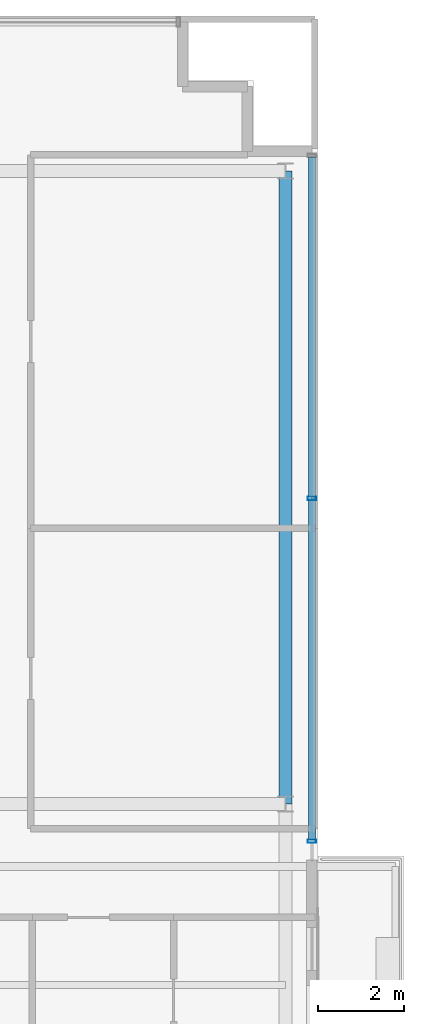
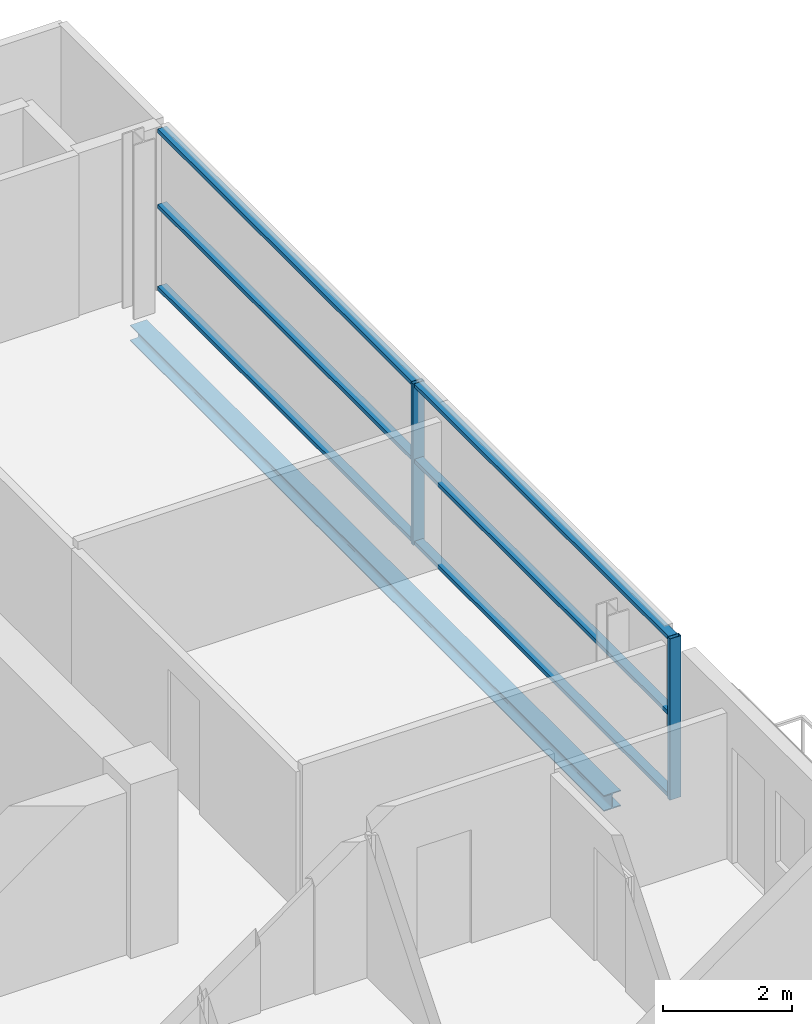
# One storey, part 9 of 22: 8 members, 1 beam, 1 element without a shape of its own.
"""IFC4 building model written with IfcOpenShell, lengths in metres."""

from ifc_helpers import new_model, si_unit, direction, frame, origin, origin_2d, place, context, subcontext, project, spatial, hollow_rectangle, i_section, extrude, source, transform, mapped, material, layer, layer_set, material_profile, profile_set, type_object, element, aggregate, save


model = new_model("IFC4")

# Units and contexts
model_context = context("Model", 3, precision=1e-05, world=origin(), true_north=direction((0.0, 1.0)))
body_context = subcontext(model_context, "Body", "Model", "MODEL_VIEW")
ifc_project = project(units=[si_unit("LENGTHUNIT", "METRE"), si_unit("AREAUNIT", "SQUARE_METRE"), si_unit("VOLUMEUNIT", "CUBIC_METRE"), si_unit("PLANEANGLEUNIT", "RADIAN"), si_unit("MASSUNIT", "GRAM", prefix="KILO")], contexts=[model_context])

# Site, building, storey
site_placement = place(None, origin())
site = spatial("IfcSite", under=ifc_project, at=site_placement, CompositionType="ELEMENT")
building_placement = place(site_placement, origin())
building = spatial("IfcBuilding", under=site, at=building_placement, Name="Zarnakvel Exchange Tower", CompositionType="ELEMENT")
storey_placement = place(building_placement, frame((0.0, 0.0, 251.800048828125)))
storey = spatial("IfcBuildingStorey", under=building, at=storey_placement, Name="L71", CompositionType="ELEMENT", Elevation=251.800048828125)

# Beam
ifc_material_1 = material(Name="Steel S355", Category="steel")
ifc_material_profile_1 = material_profile(ifc_material_1, i_section(OverallWidth=0.300048828125, OverallDepth=0.300048828125, WebThickness=0.010986328125, FlangeThickness=0.01904296875, FilletRadius=0.027099609375, at=origin_2d()))
ifc_profile_set_1 = profile_set([ifc_material_profile_1], Name="Steel S355")
beam_type = type_object("IfcBeamType", Name="SP-03", PredefinedType="SPANDREL", material=ifc_profile_set_1)
beam_placement = place(storey_placement, frame((22.85009765625, -1.199951171875, -0.375), z_axis=(0.0, 1.0, 0.0), x_axis=(-1.0, 0.0, 0.0)))
element("IfcBeam", 1, at=beam_placement, inside=storey, type_object=beam_type, Name="L71 Tower N-S Frame Beam", PredefinedType="SPANDREL", context=body_context, shape_type="SweptSolid", body=[
    extrude(i_section(OverallWidth=0.300048828125, OverallDepth=0.300048828125, WebThickness=0.010986328125, FlangeThickness=0.01904296875, FilletRadius=0.027099609375, at=origin_2d()), origin(), (0.0, 0.0, 1.0), 14.699951171875),
])

# Curtain wall, members
ifc_material_2 = material(Name="Architectural Bronze Anodised Aluminium", Category="aluminium")
ifc_layer = layer(ifc_material_2, 0.199951171875)
ifc_layer_set = layer_set([ifc_layer], Name="Architectural Bronze Anodised Aluminium")
curtain_wall_type = type_object("IfcCurtainWallType", Name="CW-04", PredefinedType="NOTDEFINED", material=ifc_layer_set)
curtain_wall_placement = place(storey_placement, origin())
curtain_wall = element("IfcCurtainWall", 2, at=curtain_wall_placement, inside=storey, type_object=curtain_wall_type, Name="L71 Curtain Wall CW-L71-EN (CW-04)", PredefinedType="NOTDEFINED")
ifc_material_profile_2 = material_profile(ifc_material_2, hollow_rectangle(XDim=0.199951171875, YDim=0.074951171875, WallThickness=0.0048828125, at=origin_2d()))
ifc_profile_set_2 = profile_set([ifc_material_profile_2], Name="Architectural Bronze Anodised Aluminium")
member_type_1 = type_object("IfcMemberType", Name="CWM-04", PredefinedType="MULLION", material=ifc_profile_set_2)
shared_shape_1 = source(origin(), body_context, "Body", "SweptSolid", [
    extrude(hollow_rectangle(XDim=0.199951171875, YDim=0.074951171875, WallThickness=0.0048828125, at=origin_2d()), origin(), (0.0, 0.0, 1.0), 3.054931640625),
])
member_1_placement = place(storey_placement, frame((23.4599609375, -2.0625, 0.0), z_axis=(0.0, 0.0, 1.0), x_axis=(-1.0, 0.0, 0.0)))
member_1 = element("IfcMember", 3, at=member_1_placement, type_object=member_type_1, Name="CW-04 mullion 1", PredefinedType="MULLION", context=body_context, shape_type="MappedRepresentation", body=[
    mapped(shared_shape_1, transform((0.0, 0.0, 0.0), x_axis=(1.0, 0.0, 0.0), y_axis=(0.0, 1.0, 0.0), z_axis=(0.0, 0.0, 1.0), scale=1.0)),
])
member_2_placement = place(storey_placement, frame((23.4599609375, 5.89990234375, 0.0), z_axis=(0.0, 0.0, 1.0), x_axis=(-1.0, 0.0, 0.0)))
member_2 = element("IfcMember", 4, at=member_2_placement, type_object=member_type_1, Name="CW-04 mullion 2", PredefinedType="MULLION", context=body_context, shape_type="MappedRepresentation", body=[
    mapped(shared_shape_1, transform((0.0, 0.0, 0.0), x_axis=(1.0, 0.0, 0.0), y_axis=(0.0, 1.0, 0.0), z_axis=(0.0, 0.0, 1.0), scale=1.0)),
])
ifc_material_profile_3 = material_profile(ifc_material_2, hollow_rectangle(XDim=0.159912109375, YDim=0.074951171875, WallThickness=0.00390625, at=origin_2d()))
ifc_profile_set_3 = profile_set([ifc_material_profile_3], Name="Architectural Bronze Anodised Aluminium")
member_type_2 = type_object("IfcMemberType", Name="CWT-04", PredefinedType="USERDEFINED", material=ifc_profile_set_3)
shared_shape_2 = source(origin(), body_context, "Body", "SweptSolid", [
    extrude(hollow_rectangle(XDim=0.159912109375, YDim=0.074951171875, WallThickness=0.00390625, at=origin_2d()), origin(), (0.0, 0.0, 1.0), 7.887451171875),
])
member_3_placement = place(storey_placement, frame((23.4599609375, -2.02490234375, 0.037353515625), z_axis=(0.0, 1.0, 0.0), x_axis=(-1.0, 0.0, 0.0)))
member_3 = element("IfcMember", 5, at=member_3_placement, type_object=member_type_2, Name="CW-04 transom 1.1", ObjectType="TRANSOM", PredefinedType="USERDEFINED", context=body_context, shape_type="MappedRepresentation", body=[
    mapped(shared_shape_2, transform((0.0, 0.0, 0.0), x_axis=(1.0, 0.0, 0.0), y_axis=(0.0, 1.0, 0.0), z_axis=(0.0, 0.0, 1.0), scale=1.0)),
])
member_4_placement = place(storey_placement, frame((23.4599609375, -2.02490234375, 1.588623046875), z_axis=(0.0, 1.0, 0.0), x_axis=(-1.0, 0.0, 0.0)))
member_4 = element("IfcMember", 6, at=member_4_placement, type_object=member_type_2, Name="CW-04 transom 1.2", ObjectType="TRANSOM", PredefinedType="USERDEFINED", context=body_context, shape_type="MappedRepresentation", body=[
    mapped(shared_shape_2, transform((0.0, 0.0, 0.0), x_axis=(1.0, 0.0, 0.0), y_axis=(0.0, 1.0, 0.0), z_axis=(0.0, 0.0, 1.0), scale=1.0)),
])
member_5_placement = place(storey_placement, frame((23.4599609375, -2.02490234375, 3.017333984375), z_axis=(0.0, 1.0, 0.0), x_axis=(-1.0, 0.0, 0.0)))
member_5 = element("IfcMember", 7, at=member_5_placement, type_object=member_type_2, Name="CW-04 transom 1.3", ObjectType="TRANSOM", PredefinedType="USERDEFINED", context=body_context, shape_type="MappedRepresentation", body=[
    mapped(shared_shape_2, transform((0.0, 0.0, 0.0), x_axis=(1.0, 0.0, 0.0), y_axis=(0.0, 1.0, 0.0), z_axis=(0.0, 0.0, 1.0), scale=1.0)),
])
member_6_placement = place(storey_placement, frame((23.4599609375, 5.9375, 0.037353515625), z_axis=(0.0, 1.0, 0.0), x_axis=(-1.0, 0.0, 0.0)))
member_6 = element("IfcMember", 8, at=member_6_placement, type_object=member_type_2, Name="CW-04 transom 2.1", ObjectType="TRANSOM", PredefinedType="USERDEFINED", context=body_context, shape_type="MappedRepresentation", body=[
    mapped(shared_shape_2, transform((0.0, 0.0, 0.0), x_axis=(1.0, 0.0, 0.0), y_axis=(0.0, 1.0, 0.0), z_axis=(0.0, 0.0, 1.0), scale=1.0)),
])
member_7_placement = place(storey_placement, frame((23.4599609375, 5.9375, 1.588623046875), z_axis=(0.0, 1.0, 0.0), x_axis=(-1.0, 0.0, 0.0)))
member_7 = element("IfcMember", 9, at=member_7_placement, type_object=member_type_2, Name="CW-04 transom 2.2", ObjectType="TRANSOM", PredefinedType="USERDEFINED", context=body_context, shape_type="MappedRepresentation", body=[
    mapped(shared_shape_2, transform((0.0, 0.0, 0.0), x_axis=(1.0, 0.0, 0.0), y_axis=(0.0, 1.0, 0.0), z_axis=(0.0, 0.0, 1.0), scale=1.0)),
])
member_8_placement = place(storey_placement, frame((23.4599609375, 5.9375, 3.017333984375), z_axis=(0.0, 1.0, 0.0), x_axis=(-1.0, 0.0, 0.0)))
member_8 = element("IfcMember", 10, at=member_8_placement, type_object=member_type_2, Name="CW-04 transom 2.3", ObjectType="TRANSOM", PredefinedType="USERDEFINED", context=body_context, shape_type="MappedRepresentation", body=[
    mapped(shared_shape_2, transform((0.0, 0.0, 0.0), x_axis=(1.0, 0.0, 0.0), y_axis=(0.0, 1.0, 0.0), z_axis=(0.0, 0.0, 1.0), scale=1.0)),
])
aggregate(curtain_wall, [member_1, member_2, member_3, member_4, member_5, member_6, member_7, member_8])

save(model, "model.ifc")
